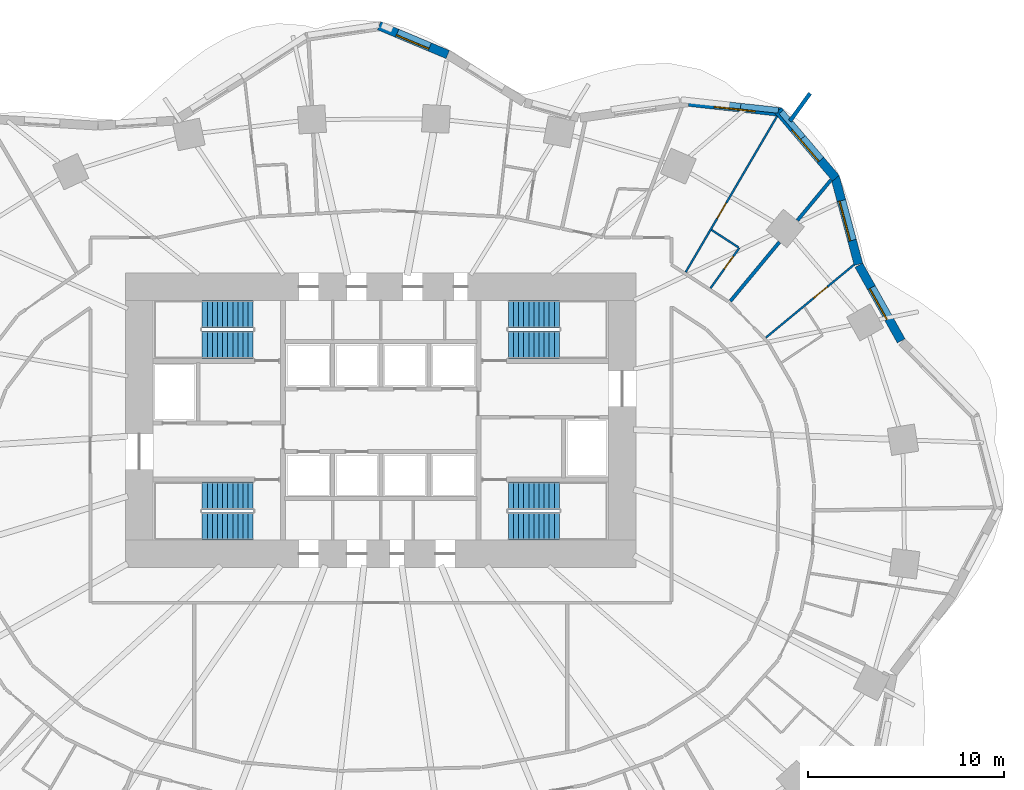
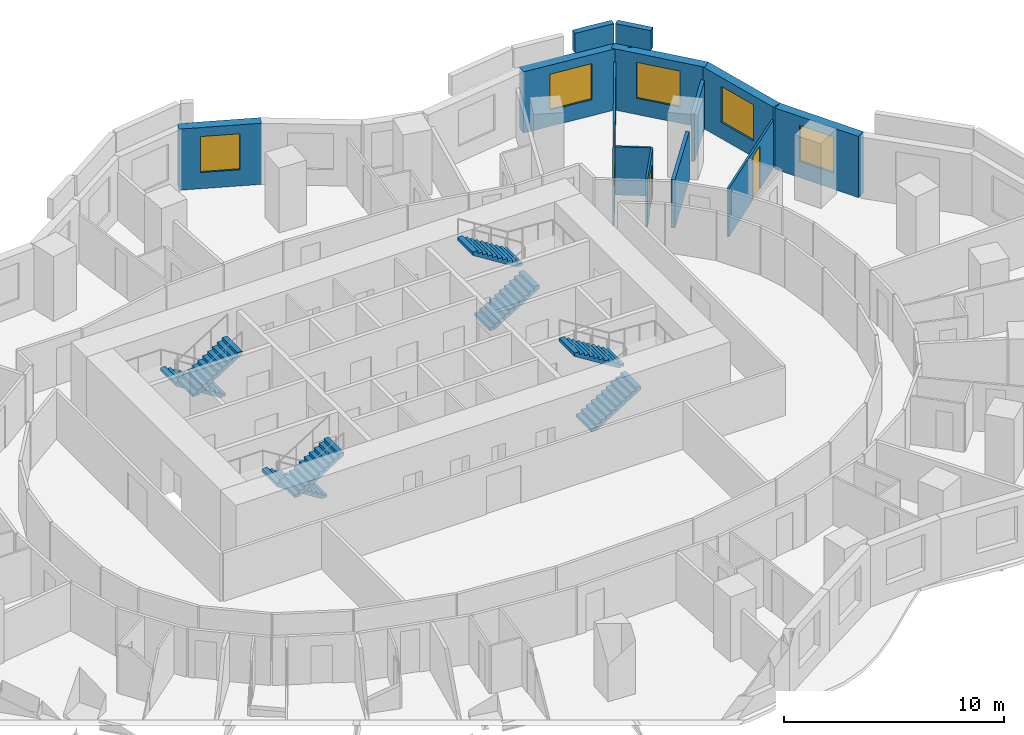
# One storey, part 10 of 11: 14 walls, 8 stair flights, 5 windows, 3 doors, 8 openings, 4 elements without a shape of their own.
"""IFC4 building model written with IfcOpenShell, lengths in metres."""

import ifcopenshell
import ifcopenshell.guid

model = None  # the IFC model being written
_history = None  # IfcOwnerHistory: only IFC2X3 demands one
_inside = {}  # id of a spatial element -> (the spatial element, [elements in it])
_under = {}  # id of a project, library or spatial element -> (it, [spatial elements below it])
_declared = {}  # id of a project -> (the project, [libraries it declares])
_typed = {}  # id of a type object -> (the type object, [elements of that type])
_made_of = {}  # id of a material, layer set ... -> (it, [elements and type objects made of it])


def new_model(schema):
    """Start an empty IFC model of exactly this schema.

    Asked for "IFC4X3", IfcOpenShell would pick the latest addendum, in which some entities
    have other attributes; the version numbers below select the first issue.
    IFC2X3 requires an IfcOwnerHistory on every rooted entity: one is made here for all.
    """
    global model, _history
    if schema == "IFC4X3":
        model = ifcopenshell.file(schema_version=(4, 3, 0, 0))
    else:
        model = ifcopenshell.file(schema=schema)
    _inside.clear()
    _under.clear()
    _declared.clear()
    _typed.clear()
    _made_of.clear()
    _history = None
    if model.schema == "IFC2X3":
        org = make("IfcOrganization", Name="unknown")
        user = make(
            "IfcPersonAndOrganization",
            ThePerson=make("IfcPerson", FamilyName="unknown"),
            TheOrganization=org,
        )
        app = make(
            "IfcApplication",
            ApplicationDeveloper=org,
            Version="unknown",
            ApplicationFullName="unknown",
            ApplicationIdentifier="unknown",
        )
        _history = make(
            "IfcOwnerHistory",
            OwningUser=user,
            OwningApplication=app,
            ChangeAction="ADDED",
            CreationDate=0,
        )
    return model


def make(cls, **values):
    """One entity of the class cls with the attributes given. An attribute that is None is left unset."""
    return model.create_entity(
        cls, **{name: value for name, value in values.items() if value is not None}
    )


def rooted(cls, **values):
    """An entity with a GlobalId (a new one), such as an element, a storey or a relation."""
    return make(cls, GlobalId=ifcopenshell.guid.new(), OwnerHistory=_history, **values)


def si_unit(unit_type, name, prefix=None):
    """IfcSIUnit, for example si_unit("LENGTHUNIT", "METRE", prefix="MILLI")."""
    return make("IfcSIUnit", UnitType=unit_type, Prefix=prefix, Name=name)


def assignment(units):
    """IfcUnitAssignment: the units of a project."""
    return None if units is None else make("IfcUnitAssignment", Units=units)


def point(xyz):
    """IfcCartesianPoint."""
    return None if xyz is None else make("IfcCartesianPoint", Coordinates=xyz)


def direction(xyz):
    """IfcDirection."""
    return None if xyz is None else make("IfcDirection", DirectionRatios=xyz)


def frame(location, z_axis=None, x_axis=None):
    """IfcAxis2Placement3D, a coordinate frame: its origin and axes. An axis left out is left unset."""
    return make(
        "IfcAxis2Placement3D",
        Location=point(location),
        Axis=direction(z_axis),
        RefDirection=direction(x_axis),
    )


def frame_2d(location, x_axis=None):
    """IfcAxis2Placement2D, a coordinate frame in the plane: its origin and x axis."""
    return make(
        "IfcAxis2Placement2D", Location=point(location), RefDirection=direction(x_axis)
    )


def origin():
    """The frame at (0, 0, 0) with its axes left unset."""
    return frame((0.0, 0.0, 0.0))


def place(relative_to, where):
    """IfcLocalPlacement: puts the frame where relative to a parent placement (None: the world)."""
    return make(
        "IfcLocalPlacement", PlacementRelTo=relative_to, RelativePlacement=where
    )


def context(
    kind, dimensions, precision=None, world=None, true_north=None, identifier=None
):
    """IfcGeometricRepresentationContext, for example the 3D "Model" context."""
    return make(
        "IfcGeometricRepresentationContext",
        ContextIdentifier=identifier,
        ContextType=kind,
        CoordinateSpaceDimension=dimensions,
        Precision=precision,
        WorldCoordinateSystem=world,
        TrueNorth=true_north,
    )


def subcontext(parent, identifier, kind, view, scale=None):
    """IfcGeometricRepresentationSubContext, for example "Body" below "Model"."""
    return make(
        "IfcGeometricRepresentationSubContext",
        ContextIdentifier=identifier,
        ContextType=kind,
        ParentContext=parent,
        TargetScale=scale,
        TargetView=view,
    )


def project(units=None, contexts=None):
    """IfcProject with its units and contexts."""
    return rooted(
        "IfcProject",
        Name="project",
        RepresentationContexts=contexts,
        UnitsInContext=assignment(units),
    )


def spatial(cls, under=None, at=None, **own):
    """A site, building, storey or space (cls), placed at a placement, below another one or the project."""
    s = rooted(cls, ObjectPlacement=at, **own)
    if under is not None:
        _under.setdefault(under.id(), (under, []))[1].append(s)
    return s


def polyline(points):
    """IfcPolyline through the points."""
    return make("IfcPolyline", Points=[point(p) for p in points])


def profile(cls, at=None, kind="AREA", **sizes):
    """A parametric profile (cls). Its sizes go by their IFC names, for example OverallWidth=200.0."""
    return make(cls, ProfileType=kind, Position=at, **sizes)


def rectangle(**sizes):
    """IfcRectangleProfileDef."""
    return profile("IfcRectangleProfileDef", **sizes)


def outline(outer, holes=None, kind="AREA"):
    """IfcArbitraryClosedProfileDef: a profile drawn as a closed curve; with holes, ...WithVoids."""
    if holes is None:
        return make("IfcArbitraryClosedProfileDef", ProfileType=kind, OuterCurve=outer)
    return make(
        "IfcArbitraryProfileDefWithVoids",
        ProfileType=kind,
        OuterCurve=outer,
        InnerCurves=holes,
    )


def extrude(swept, where, along, depth):
    """IfcExtrudedAreaSolid: the profile swept, set in the frame where, extruded along a direction by depth."""
    return make(
        "IfcExtrudedAreaSolid",
        SweptArea=swept,
        Position=where,
        ExtrudedDirection=direction(along),
        Depth=depth,
    )


def shape(context_of_items, identifier, shape_type, items):
    """IfcShapeRepresentation: the items that make up one representation, for example the "Body"."""
    return make(
        "IfcShapeRepresentation",
        ContextOfItems=context_of_items,
        RepresentationIdentifier=identifier,
        RepresentationType=shape_type,
        Items=items,
    )


def material(Name=None, Category=None):
    """IfcMaterial."""
    return make("IfcMaterial", Name=Name, Category=Category)


def layer(
    of_material, thickness, ventilated=None, Name=None, Category=None, Priority=None
):
    """IfcMaterialLayer: one layer of a wall or slab, of a material (None: an air gap)."""
    return make(
        "IfcMaterialLayer",
        Material=of_material,
        LayerThickness=thickness,
        IsVentilated=ventilated,
        Name=Name,
        Category=Category,
        Priority=Priority,
    )


def layer_set(layers, Name=None):
    """IfcMaterialLayerSet."""
    return make("IfcMaterialLayerSet", MaterialLayers=layers, LayerSetName=Name)


def made_of(thing, what):
    """Note that an element or type object is made of a material, layer set ...; save() writes the relation."""
    if what is not None:
        _made_of.setdefault(what.id(), (what, []))[1].append(thing)
    return thing


def type_object(cls, material=None, **own):
    """A type object (cls), such as IfcWallType, which elements share."""
    return made_of(rooted(cls, **own), material)


def element(
    cls,
    number,
    at=None,
    inside=None,
    cuts=None,
    type_object=None,
    material=None,
    context=None,
    identifier="Body",
    shape_type=None,
    held_by="IfcProductDefinitionShape",
    body=None,
    shapes=None,
    **own,
):
    """One element of the class cls, such as IfcWall. Its Tag is "e" and its number.

    at: its placement. inside: the storey or other place that contains it. cuts: it is an
    opening in that element (IfcRelVoidsElement). A single representation is given by context,
    identifier, shape_type and body (its items); several are given by shapes. held_by: the class
    of the entity that holds the representations. save() writes the other relations.
    """
    e = rooted(cls, Tag="e%d" % number, ObjectPlacement=at, **own)
    if body is not None:
        shapes = [shape(context, identifier, shape_type, body)]
    if shapes is not None:
        e.Representation = make(held_by, Representations=shapes)
    if inside is not None:
        _inside.setdefault(inside.id(), (inside, []))[1].append(e)
    if cuts is not None:
        rooted(
            "IfcRelVoidsElement", RelatingBuildingElement=cuts, RelatedOpeningElement=e
        )
    if type_object is not None:
        _typed.setdefault(type_object.id(), (type_object, []))[1].append(e)
    return made_of(e, material)


def fill(opening, filler):
    """IfcRelFillsElement: the door or window that sits in an opening."""
    return rooted(
        "IfcRelFillsElement",
        RelatingOpeningElement=opening,
        RelatedBuildingElement=filler,
    )


def aggregate(whole, parts):
    """IfcRelAggregates: a whole, such as a stair, and the parts it consists of."""
    return rooted("IfcRelAggregates", RelatingObject=whole, RelatedObjects=parts)


def save(model, path):
    """Write the relations noted so far, then the file.

    IfcRelAggregates (storeys below a building ...), IfcRelContainedInSpatialStructure (elements
    in a storey), IfcRelDefinesByType, IfcRelAssociatesMaterial and IfcRelDeclares: one each for
    every whole, place, type object, material and project.
    """
    for whole, parts in _under.values():
        aggregate(whole, parts)
    for where, things in _inside.values():
        rooted(
            "IfcRelContainedInSpatialStructure",
            RelatedElements=things,
            RelatingStructure=where,
        )
    for kind, things in _typed.values():
        rooted("IfcRelDefinesByType", RelatedObjects=things, RelatingType=kind)
    for what, things in _made_of.values():
        rooted("IfcRelAssociatesMaterial", RelatedObjects=things, RelatingMaterial=what)
    for by, libraries in _declared.values():
        rooted("IfcRelDeclares", RelatingContext=by, RelatedDefinitions=libraries)
    model.write(path)


model = new_model("IFC4")

# Units and contexts
model_context = context("Model", 3, precision=1e-05, world=origin(), true_north=direction((0.0, 1.0)))
body_context = subcontext(model_context, "Body", "Model", "MODEL_VIEW")
ifc_project = project(units=[si_unit("LENGTHUNIT", "METRE"), si_unit("AREAUNIT", "SQUARE_METRE"), si_unit("VOLUMEUNIT", "CUBIC_METRE"), si_unit("PLANEANGLEUNIT", "RADIAN"), si_unit("MASSUNIT", "GRAM", prefix="KILO")], contexts=[model_context])

# Site, building, storey
site_placement = place(None, origin())
site = spatial("IfcSite", under=ifc_project, at=site_placement, CompositionType="ELEMENT")
building_placement = place(site_placement, origin())
building = spatial("IfcBuilding", under=site, at=building_placement, Name="Rubra Terraces Tower", CompositionType="ELEMENT")
storey_placement = place(building_placement, frame((0.0, 0.0, 41.10009765625)))
storey = spatial("IfcBuildingStorey", under=building, at=storey_placement, Name="L07", CompositionType="ELEMENT", Elevation=41.10009765625)

# Walls
ifc_material_1 = material(Name="Twin plasterboard on staggered steel stud, acoustic mineral wool", Category="steel")
ifc_layer_1 = layer(ifc_material_1, 0.175048828125)
ifc_layer_set_1 = layer_set([ifc_layer_1], Name="Twin plasterboard on staggered steel stud, acoustic mineral wool")
wall_type_1 = type_object("IfcWallType", Name="ACOUSTIC PARTY WALL 175", PredefinedType="PARTITIONING", material=ifc_layer_set_1)
wall_1_placement = place(storey_placement, frame((22.94677734375, 16.752197265625, 0.0), z_axis=(0.0, 0.0, 1.0), x_axis=(-0.638756388383, -0.769409043552, 0.0)))
element("IfcWall", 1, at=wall_1_placement, inside=storey, type_object=wall_type_1, Name="PARTITION", PredefinedType="PARTITIONING", context=body_context, shape_type="SweptSolid", body=[
    extrude(rectangle(XDim=2.692626953125, YDim=0.175048828125, at=frame_2d((1.34619140625, 0.0))), origin(), (0.0, 0.0, 1.0), 2.679931640625),
])
wall_2_placement = place(storey_placement, frame((20.306884765625, 13.572509765625, 0.0), z_axis=(0.0, 0.0, 1.0), x_axis=(-0.638751887509, -0.769412780114, 0.0)))
element("IfcWall", 2, at=wall_2_placement, inside=storey, type_object=wall_type_1, Name="PARTITION", PredefinedType="PARTITIONING", context=body_context, shape_type="SweptSolid", body=[
    extrude(rectangle(XDim=3.908935546875, YDim=0.175048828125, at=frame_2d((1.95458984375, 0.0))), origin(), (0.0, 0.0, 1.0), 2.679931640625),
])

# Wall, opening, window
ifc_material_2 = material(Name="Brick masonry red-brown", Category="masonry")
ifc_layer_2 = layer(ifc_material_2, 0.449951171875)
ifc_layer_set_2 = layer_set([ifc_layer_2], Name="Brick masonry red-brown")
wall_type_2 = type_object("IfcWallType", Name="Brick facade wall 450", PredefinedType="SOLIDWALL", material=ifc_layer_set_2)
wall_3_placement = place(storey_placement, frame((26.513671875, 8.541015625, 0.0), z_axis=(0.0, 0.0, 1.0), x_axis=(-0.488504028898, 0.87256163894, 0.0)))
wall_3 = element("IfcWall", 3, at=wall_3_placement, inside=storey, type_object=wall_type_2, Name="Facade wall L07 bay 3", PredefinedType="SOLIDWALL", context=body_context, shape_type="SweptSolid", body=[
    extrude(rectangle(XDim=4.41552734375, YDim=0.449951171875, at=frame_2d((2.207763671875, 0.0))), origin(), (0.0, 0.0, 1.0), 3.39990234375),
])
opening_1_placement = place(wall_3_placement, frame((1.307861328125, 0.0, 0.89990234375)))
opening_1 = element("IfcOpeningElement", 4, at=opening_1_placement, cuts=wall_3, Name="Opening W6", PredefinedType="OPENING", context=body_context, shape_type="SweptSolid", body=[
    extrude(rectangle(XDim=1.800048828125, YDim=2.0, at=frame_2d((0.89990234375, 1.0))), frame((0.0, 0.23486328125, 0.0), z_axis=(0.0, -1.0, 0.0), x_axis=(1.0, 0.0, 0.0)), (0.0, 0.0, 1.0), 0.469970703125),
])
ifc_material_3 = material(Name="Clear glass in aluminium frame", Category="aluminium")
window_type_1 = type_object("IfcWindowType", Name="Fixed deep-set window at wind fin 1800 x 2000", PartitioningType="SINGLE_PANEL", PredefinedType="WINDOW", material=ifc_material_3)
window_1_placement = place(opening_1_placement, origin())
window_1 = element("IfcWindow", 5, at=window_1_placement, inside=storey, type_object=window_type_1, Name="Window L07 bay 3", OverallHeight=2.0, OverallWidth=1.800048828125, PartitioningType="SINGLE_PANEL", PredefinedType="WINDOW", context=body_context, shape_type="SweptSolid", body=[
    extrude(rectangle(XDim=1.800048828125, YDim=2.0, at=frame_2d((0.89990234375, 1.0))), frame((0.0, 0.135009765625, 0.0), z_axis=(0.0, -1.0, 0.0), x_axis=(1.0, 0.0, 0.0)), (0.0, 0.0, 1.0), 0.06005859375),
])
fill(opening_1, window_1)

wall_4_placement = place(storey_placement, frame((24.33740234375, 12.439453125, 0.0), z_axis=(0.0, 0.0, 1.0), x_axis=(-0.258441377569, 0.966026942875, 0.0)))
wall_4 = element("IfcWall", 6, at=wall_4_placement, inside=storey, type_object=wall_type_2, Name="Facade wall L07 bay 4", PredefinedType="SOLIDWALL", context=body_context, shape_type="SweptSolid", body=[
    extrude(rectangle(XDim=4.6240234375, YDim=0.449951171875, at=frame_2d((2.31201171875, 0.0))), origin(), (0.0, 0.0, 1.0), 3.39990234375),
])
opening_2_placement = place(wall_4_placement, frame((1.26220703125, 0.0, 0.89990234375)))
opening_2 = element("IfcOpeningElement", 7, at=opening_2_placement, cuts=wall_4, Name="Opening W1", PredefinedType="OPENING", context=body_context, shape_type="SweptSolid", body=[
    extrude(rectangle(XDim=2.10009765625, YDim=2.0, at=frame_2d((1.050048828125, 1.0))), frame((0.0, 0.23486328125, 0.0), z_axis=(0.0, -1.0, 0.0), x_axis=(1.0, 0.0, 0.0)), (0.0, 0.0, 1.0), 0.469970703125),
])
window_type_2 = type_object("IfcWindowType", Name="Fixed deep-set window 2100 x 2000", PartitioningType="SINGLE_PANEL", PredefinedType="WINDOW", material=ifc_material_3)
window_2_placement = place(opening_2_placement, origin())
window_2 = element("IfcWindow", 8, at=window_2_placement, inside=storey, type_object=window_type_2, Name="Window L07 bay 4", OverallHeight=2.0, OverallWidth=2.10009765625, PartitioningType="SINGLE_PANEL", PredefinedType="WINDOW", context=body_context, shape_type="SweptSolid", body=[
    extrude(rectangle(XDim=2.10009765625, YDim=2.0, at=frame_2d((1.050048828125, 1.0))), frame((0.0, 0.135009765625, 0.0), z_axis=(0.0, -1.0, 0.0), x_axis=(1.0, 0.0, 0.0)), (0.0, 0.0, 1.0), 0.06005859375),
])
fill(opening_2, window_2)

wall_5_placement = place(storey_placement, frame((23.186767578125, 16.8251953125, 0.0), z_axis=(0.0, 0.0, 1.0), x_axis=(-0.648462985992, 0.761246186065, 0.0)))
wall_5 = element("IfcWall", 9, at=wall_5_placement, inside=storey, type_object=wall_type_2, Name="Facade wall L07 bay 5", PredefinedType="SOLIDWALL", context=body_context, shape_type="SweptSolid", body=[
    extrude(rectangle(XDim=4.53076171875, YDim=0.449951171875, at=frame_2d((2.265380859375, 0.0))), origin(), (0.0, 0.0, 1.0), 3.39990234375),
])
opening_3_placement = place(wall_5_placement, frame((1.21533203125, 0.0, 0.89990234375)))
opening_3 = element("IfcOpeningElement", 10, at=opening_3_placement, cuts=wall_5, Name="Opening W1", PredefinedType="OPENING", context=body_context, shape_type="SweptSolid", body=[
    extrude(rectangle(XDim=2.10009765625, YDim=2.0, at=frame_2d((1.050048828125, 1.0))), frame((0.0, 0.23486328125, 0.0), z_axis=(0.0, -1.0, 0.0), x_axis=(1.0, 0.0, 0.0)), (0.0, 0.0, 1.0), 0.469970703125),
])
window_3_placement = place(opening_3_placement, origin())
window_3 = element("IfcWindow", 11, at=window_3_placement, inside=storey, type_object=window_type_2, Name="Window L07 bay 5", OverallHeight=2.0, OverallWidth=2.10009765625, PartitioningType="SINGLE_PANEL", PredefinedType="WINDOW", context=body_context, shape_type="SweptSolid", body=[
    extrude(rectangle(XDim=2.10009765625, YDim=2.0, at=frame_2d((1.050048828125, 1.0))), frame((0.0, 0.135009765625, 0.0), z_axis=(0.0, -1.0, 0.0), x_axis=(1.0, 0.0, 0.0)), (0.0, 0.0, 1.0), 0.06005859375),
])
fill(opening_3, window_3)

wall_6_placement = place(storey_placement, frame((20.3955078125, 20.1962890625, 0.0), z_axis=(0.0, 0.0, 1.0), x_axis=(-0.994063142291, 0.108804729393, 0.0)))
wall_6 = element("IfcWall", 12, at=wall_6_placement, inside=storey, type_object=wall_type_2, Name="Facade wall L07 bay 6", PredefinedType="SOLIDWALL", context=body_context, shape_type="SweptSolid", body=[
    extrude(rectangle(XDim=4.727783203125, YDim=0.449951171875, at=frame_2d((2.36376953125, 0.0))), origin(), (0.0, 0.0, 1.0), 3.39990234375),
])
opening_4_placement = place(wall_6_placement, frame((1.31396484375, 0.0, 0.89990234375)))
opening_4 = element("IfcOpeningElement", 13, at=opening_4_placement, cuts=wall_6, Name="Opening W1", PredefinedType="OPENING", context=body_context, shape_type="SweptSolid", body=[
    extrude(rectangle(XDim=2.10009765625, YDim=2.0, at=frame_2d((1.050048828125, 1.0))), frame((0.0, 0.23486328125, 0.0), z_axis=(0.0, -1.0, 0.0), x_axis=(1.0, 0.0, 0.0)), (0.0, 0.0, 1.0), 0.469970703125),
])
window_4_placement = place(opening_4_placement, origin())
window_4 = element("IfcWindow", 14, at=window_4_placement, inside=storey, type_object=window_type_2, Name="Window L07 bay 6", OverallHeight=2.0, OverallWidth=2.10009765625, PartitioningType="SINGLE_PANEL", PredefinedType="WINDOW", context=body_context, shape_type="SweptSolid", body=[
    extrude(rectangle(XDim=2.10009765625, YDim=2.0, at=frame_2d((1.050048828125, 1.0))), frame((0.0, 0.135009765625, 0.0), z_axis=(0.0, -1.0, 0.0), x_axis=(1.0, 0.0, 0.0)), (0.0, 0.0, 1.0), 0.06005859375),
])
fill(opening_4, window_4)

wall_7_placement = place(storey_placement, frame((3.409912109375, 23.130126953125, 0.0), z_axis=(0.0, 0.0, 1.0), x_axis=(-0.921914994676, 0.387392233521, 0.0)))
wall_7 = element("IfcWall", 15, at=wall_7_placement, inside=storey, type_object=wall_type_2, Name="Facade wall L07 bay 10", PredefinedType="SOLIDWALL", context=body_context, shape_type="SweptSolid", body=[
    extrude(rectangle(XDim=3.793212890625, YDim=0.449951171875, at=frame_2d((1.896484375, 0.0))), origin(), (0.0, 0.0, 1.0), 3.39990234375),
])
opening_5_placement = place(wall_7_placement, frame((0.99658203125, 0.0, 0.89990234375)))
opening_5 = element("IfcOpeningElement", 16, at=opening_5_placement, cuts=wall_7, Name="Opening W6", PredefinedType="OPENING", context=body_context, shape_type="SweptSolid", body=[
    extrude(rectangle(XDim=1.800048828125, YDim=2.0, at=frame_2d((0.89990234375, 1.0))), frame((0.0, 0.23486328125, 0.0), z_axis=(0.0, -1.0, 0.0), x_axis=(1.0, 0.0, 0.0)), (0.0, 0.0, 1.0), 0.469970703125),
])
window_5_placement = place(opening_5_placement, origin())
window_5 = element("IfcWindow", 17, at=window_5_placement, inside=storey, type_object=window_type_1, Name="Window L07 bay 10", OverallHeight=2.0, OverallWidth=1.800048828125, PartitioningType="SINGLE_PANEL", PredefinedType="WINDOW", context=body_context, shape_type="SweptSolid", body=[
    extrude(rectangle(XDim=1.800048828125, YDim=2.0, at=frame_2d((0.89990234375, 1.0))), frame((0.0, 0.135009765625, 0.0), z_axis=(0.0, -1.0, 0.0), x_axis=(1.0, 0.0, 0.0)), (0.0, 0.0, 1.0), 0.06005859375),
])
fill(opening_5, window_5)

# Walls
ifc_layer_3 = layer(ifc_material_2, 0.300048828125)
ifc_layer_set_3 = layer_set([ifc_layer_3], Name="Brick masonry red-brown")
wall_type_3 = type_object("IfcWallType", Name="Brick parapet 300", PredefinedType="PARAPET", material=ifc_layer_set_3)
wall_8_placement = place(storey_placement, frame((21.5126953125, 18.906005859375, 3.599853515625), z_axis=(0.0, 0.0, 1.0), x_axis=(-0.648451151452, 0.761256267088, 0.0)))
element("IfcWall", 18, at=wall_8_placement, inside=storey, type_object=wall_type_3, Name="Parapet L07 bay 5", PredefinedType="PARAPET", context=body_context, shape_type="SweptSolid", body=[
    extrude(rectangle(XDim=1.7119140625, YDim=0.300048828125, at=frame_2d((0.85595703125, 0.0))), origin(), (0.0, 0.0, 1.0), 1.10009765625),
])
wall_9_placement = place(storey_placement, frame((20.25537109375, 20.287109375, 3.599853515625), z_axis=(0.0, 0.0, 1.0), x_axis=(-0.994062724773, 0.108808543863, 0.0)))
element("IfcWall", 19, at=wall_9_placement, inside=storey, type_object=wall_type_3, Name="Parapet L07 bay 6", PredefinedType="PARAPET", context=body_context, shape_type="SweptSolid", body=[
    extrude(rectangle(XDim=1.931884765625, YDim=0.300048828125, at=frame_2d((0.9658203125, 0.0))), origin(), (0.0, 0.0, 1.0), 1.10009765625),
])
ifc_layer_4 = layer(ifc_material_2, 0.199951171875)
ifc_layer_set_4 = layer_set([ifc_layer_4], Name="Brick masonry red-brown")
wall_type_4 = type_object("IfcWallType", Name="Brick wind fin 200", PredefinedType="SOLIDWALL", material=ifc_layer_set_4)
wall_10_placement = place(storey_placement, frame((20.845947265625, 19.739013671875, 0.0), z_axis=(0.0, 0.0, 1.0), x_axis=(0.587607490034, 0.809146116382, 0.0)))
element("IfcWall", 20, at=wall_10_placement, inside=storey, type_object=wall_type_4, Name="Wind fin L07 3", PredefinedType="SOLIDWALL", context=body_context, shape_type="SweptSolid", body=[
    extrude(rectangle(XDim=1.75, YDim=0.199951171875, at=frame_2d((0.875, 0.0))), origin(), (0.0, 0.0, 1.0), 3.39990234375),
])

# Wall, opening, door
ifc_material_4 = material(Name="Plasterboard on steel stud", Category="steel")
ifc_layer_5 = layer(ifc_material_4, 0.10009765625)
ifc_layer_set_5 = layer_set([ifc_layer_5], Name="Plasterboard on steel stud")
wall_type_5 = type_object("IfcWallType", Name="ROOM PARTITION 100", PredefinedType="PARTITIONING", material=ifc_layer_set_5)
wall_11_placement = place(storey_placement, frame((24.109619140625, 12.42041015625, 0.0), z_axis=(0.0, 0.0, 1.0), x_axis=(-0.770718759666, -0.637175480931, 0.0)))
wall_11 = element("IfcWall", 21, at=wall_11_placement, inside=storey, type_object=wall_type_5, Name="PARTITION", PredefinedType="PARTITIONING", context=body_context, shape_type="SweptSolid", body=[
    extrude(rectangle(XDim=5.83544921875, YDim=0.10009765625, at=frame_2d((2.917724609375, 0.0))), origin(), (0.0, 0.0, 1.0), 2.679931640625),
])
opening_6_placement = place(wall_11_placement, frame((1.760986328125, 0.0, 0.0)))
opening_6 = element("IfcOpeningElement", 22, at=opening_6_placement, cuts=wall_11, Name="Opening 07-102", PredefinedType="OPENING", context=body_context, shape_type="SweptSolid", body=[
    extrude(rectangle(XDim=0.89990234375, YDim=2.39990234375, at=frame_2d((0.449951171875, 1.199951171875))), frame((0.0, 0.06005859375, 0.0), z_axis=(0.0, -1.0, 0.0), x_axis=(1.0, 0.0, 0.0)), (0.0, 0.0, 1.0), 0.1201171875),
])
ifc_material_5 = material(Name="Veneered timber door leaf, fire-rated", Category="wood")
door_type_1 = type_object("IfcDoorType", Name="SUITE ENTRANCE DOOR 900 X 2400", OperationType="SINGLE_SWING_LEFT", PredefinedType="DOOR", material=ifc_material_5)
door_1_placement = place(opening_6_placement, origin())
door_1 = element("IfcDoor", 23, at=door_1_placement, inside=storey, type_object=door_type_1, Name="DOOR 07-102", OperationType="SINGLE_SWING_LEFT", OverallHeight=2.39990234375, OverallWidth=0.89990234375, PredefinedType="DOOR", context=body_context, shape_type="SweptSolid", body=[
    extrude(rectangle(XDim=0.89990234375, YDim=2.39990234375, at=frame_2d((0.449951171875, 1.199951171875))), frame((0.0, 0.02490234375, 0.0), z_axis=(0.0, -1.0, 0.0), x_axis=(1.0, 0.0, 0.0)), (0.0, 0.0, 1.0), 0.050048828125),
])
fill(opening_6, door_1)

wall_12_placement = place(storey_placement, frame((20.191162109375, 19.98828125, 0.0), z_axis=(0.0, 0.0, 1.0), x_axis=(-0.505620182585, -0.862756182802, 0.0)))
wall_12 = element("IfcWall", 24, at=wall_12_placement, inside=storey, type_object=wall_type_5, Name="PARTITION", PredefinedType="PARTITIONING", context=body_context, shape_type="SweptSolid", body=[
    extrude(rectangle(XDim=9.2109375, YDim=0.10009765625, at=frame_2d((4.60546875, 0.0))), origin(), (0.0, 0.0, 1.0), 2.679931640625),
])
opening_7_placement = place(wall_12_placement, frame((5.135986328125, 0.0, 0.0)))
opening_7 = element("IfcOpeningElement", 25, at=opening_7_placement, cuts=wall_12, Name="Opening 07-105", PredefinedType="OPENING", context=body_context, shape_type="SweptSolid", body=[
    extrude(rectangle(XDim=0.89990234375, YDim=2.39990234375, at=frame_2d((0.449951171875, 1.199951171875))), frame((0.0, 0.06005859375, 0.0), z_axis=(0.0, -1.0, 0.0), x_axis=(1.0, 0.0, 0.0)), (0.0, 0.0, 1.0), 0.1201171875),
])
door_2_placement = place(opening_7_placement, origin())
door_2 = element("IfcDoor", 26, at=door_2_placement, inside=storey, type_object=door_type_1, Name="DOOR 07-105", OperationType="SINGLE_SWING_LEFT", OverallHeight=2.39990234375, OverallWidth=0.89990234375, PredefinedType="DOOR", context=body_context, shape_type="SweptSolid", body=[
    extrude(rectangle(XDim=0.89990234375, YDim=2.39990234375, at=frame_2d((0.449951171875, 1.199951171875))), frame((0.0, 0.02490234375, 0.0), z_axis=(0.0, -1.0, 0.0), x_axis=(1.0, 0.0, 0.0)), (0.0, 0.0, 1.0), 0.050048828125),
])
fill(opening_7, door_2)

wall_13_placement = place(storey_placement, frame((16.798828125, 11.222900390625, 0.0), z_axis=(0.0, 0.0, 1.0), x_axis=(0.581494263037, 0.81355050369, 0.0)))
wall_13 = element("IfcWall", 27, at=wall_13_placement, inside=storey, type_object=wall_type_5, Name="PARTITION", PredefinedType="PARTITIONING", context=body_context, shape_type="SweptSolid", body=[
    extrude(rectangle(XDim=2.52490234375, YDim=0.10009765625, at=frame_2d((1.262451171875, 0.0))), origin(), (0.0, 0.0, 1.0), 2.679931640625),
])
opening_8_placement = place(wall_13_placement, frame((1.199951171875, 0.0, 0.0)))
opening_8 = element("IfcOpeningElement", 28, at=opening_8_placement, cuts=wall_13, Name="Opening 07-104", PredefinedType="OPENING", context=body_context, shape_type="SweptSolid", body=[
    extrude(rectangle(XDim=0.800048828125, YDim=2.10009765625, at=frame_2d((0.39990234375, 1.050048828125))), frame((0.0, 0.06005859375, 0.0), z_axis=(0.0, -1.0, 0.0), x_axis=(1.0, 0.0, 0.0)), (0.0, 0.0, 1.0), 0.1201171875),
])
ifc_material_6 = material(Name="Painted timber door leaf", Category="wood")
door_type_2 = type_object("IfcDoorType", Name="BATHROOM DOOR 800 X 2100", OperationType="SINGLE_SWING_LEFT", PredefinedType="DOOR", material=ifc_material_6)
door_3_placement = place(opening_8_placement, origin())
door_3 = element("IfcDoor", 29, at=door_3_placement, inside=storey, type_object=door_type_2, Name="DOOR 07-104", OperationType="SINGLE_SWING_LEFT", OverallHeight=2.10009765625, OverallWidth=0.800048828125, PredefinedType="DOOR", context=body_context, shape_type="SweptSolid", body=[
    extrude(rectangle(XDim=0.800048828125, YDim=2.10009765625, at=frame_2d((0.39990234375, 1.050048828125))), frame((0.0, 0.02490234375, 0.0), z_axis=(0.0, -1.0, 0.0), x_axis=(1.0, 0.0, 0.0)), (0.0, 0.0, 1.0), 0.050048828125),
])
fill(opening_8, door_3)

# Wall
wall_14_placement = place(storey_placement, frame((18.22509765625, 13.30419921875, 0.0), z_axis=(0.0, 0.0, 1.0), x_axis=(-0.839486017112, 0.543381290692, 0.0)))
element("IfcWall", 30, at=wall_14_placement, inside=storey, type_object=wall_type_5, Name="PARTITION", PredefinedType="PARTITIONING", context=body_context, shape_type="SweptSolid", body=[
    extrude(rectangle(XDim=1.635009765625, YDim=0.10009765625, at=frame_2d((0.8173828125, 0.0))), origin(), (0.0, 0.0, 1.0), 2.679931640625),
])

# Stair, stair flights
ifc_material_7 = material(Name="Concrete C40", Category="concrete")
stair_type = type_object("IfcStairType", Name="Core stair 1400", PredefinedType="HALF_TURN_STAIR", material=ifc_material_7)
stair_1_placement = place(storey_placement, origin())
stair_1 = element("IfcStair", 31, at=stair_1_placement, inside=storey, type_object=stair_type, Name="L07 Exit stair S1", PredefinedType="HALF_TURN_STAIR")
stair_flight_type = type_object("IfcStairFlightType", Name="Core stair flight 1400", PredefinedType="STRAIGHT", material=ifc_material_7)
stair_flight_1_placement = place(storey_placement, frame((-6.5, 0.64990234375, 0.0), z_axis=(0.0, 0.0, 1.0), x_axis=(-1.0, 0.0, 0.0)))
stair_flight_1 = element("IfcStairFlight", 32, at=stair_flight_1_placement, type_object=stair_flight_type, Name="S1 flight 1", NumberOfRisers=11, NumberOfTreads=10, PredefinedType="STRAIGHT", RiserHeight=0.163636364, TreadLength=0.26, context=body_context, shape_type="SweptSolid", body=[
    extrude(outline(polyline([(0.0, 0.0), (0.0, 0.16357421875), (0.260009765625, 0.16357421875), (0.260009765625, 0.327392578125), (0.52001953125, 0.327392578125), (0.52001953125, 0.490966796875), (0.780029296875, 0.490966796875), (0.780029296875, 0.654541015625), (1.0400390625, 0.654541015625), (1.0400390625, 0.818115234375), (1.300048828125, 0.818115234375), (1.300048828125, 0.98193359375), (1.56005859375, 0.98193359375), (1.56005859375, 1.1455078125), (1.820068359375, 1.1455078125), (1.820068359375, 1.30908203125), (2.080078125, 1.30908203125), (2.080078125, 1.47265625), (2.340087890625, 1.47265625), (2.340087890625, 1.636474609375), (2.60009765625, 1.636474609375), (2.60009765625, 1.800048828125), (2.60009765625, 1.459228515625), (0.281494140625, 0.0), (0.0, 0.0)])), frame((0.0, 0.699951171875, 0.0), z_axis=(0.0, -1.0, 0.0), x_axis=(1.0, 0.0, 0.0)), (0.0, 0.0, 1.0), 1.39990234375),
])
stair_flight_2_placement = place(storey_placement, frame((-9.10009765625, -0.89990234375, 1.7998046875), z_axis=(0.0, 0.0, 1.0), x_axis=(1.0, 0.0, 0.0)))
stair_flight_2 = element("IfcStairFlight", 33, at=stair_flight_2_placement, type_object=stair_flight_type, Name="S1 flight 2", NumberOfRisers=11, NumberOfTreads=10, PredefinedType="STRAIGHT", RiserHeight=0.163636364, TreadLength=0.26, context=body_context, shape_type="SweptSolid", body=[
    extrude(outline(polyline([(0.0, 0.0), (0.0, 0.16357421875), (0.260009765625, 0.16357421875), (0.260009765625, 0.327392578125), (0.52001953125, 0.327392578125), (0.52001953125, 0.490966796875), (0.780029296875, 0.490966796875), (0.780029296875, 0.654541015625), (1.0400390625, 0.654541015625), (1.0400390625, 0.818115234375), (1.300048828125, 0.818115234375), (1.300048828125, 0.98193359375), (1.56005859375, 0.98193359375), (1.56005859375, 1.1455078125), (1.820068359375, 1.1455078125), (1.820068359375, 1.30908203125), (2.080078125, 1.30908203125), (2.080078125, 1.47265625), (2.340087890625, 1.47265625), (2.340087890625, 1.636474609375), (2.60009765625, 1.636474609375), (2.60009765625, 1.800048828125), (2.60009765625, 1.459228515625), (0.281494140625, 0.0), (0.0, 0.0)])), frame((0.0, 0.699951171875, 0.0), z_axis=(0.0, -1.0, 0.0), x_axis=(1.0, 0.0, 0.0)), (0.0, 0.0, 1.0), 1.39990234375),
])
aggregate(stair_1, [stair_flight_1, stair_flight_2])

stair_2_placement = place(storey_placement, origin())
stair_2 = element("IfcStair", 34, at=stair_2_placement, inside=storey, type_object=stair_type, Name="L07 Exit stair S2", PredefinedType="HALF_TURN_STAIR")
stair_flight_3_placement = place(storey_placement, frame((-6.5, 9.89990234375, 0.0), z_axis=(0.0, 0.0, 1.0), x_axis=(-1.0, 0.0, 0.0)))
stair_flight_3 = element("IfcStairFlight", 35, at=stair_flight_3_placement, type_object=stair_flight_type, Name="S2 flight 1", NumberOfRisers=11, NumberOfTreads=10, PredefinedType="STRAIGHT", RiserHeight=0.163636364, TreadLength=0.26, context=body_context, shape_type="SweptSolid", body=[
    extrude(outline(polyline([(0.0, 0.0), (0.0, 0.16357421875), (0.260009765625, 0.16357421875), (0.260009765625, 0.327392578125), (0.52001953125, 0.327392578125), (0.52001953125, 0.490966796875), (0.780029296875, 0.490966796875), (0.780029296875, 0.654541015625), (1.0400390625, 0.654541015625), (1.0400390625, 0.818115234375), (1.300048828125, 0.818115234375), (1.300048828125, 0.98193359375), (1.56005859375, 0.98193359375), (1.56005859375, 1.1455078125), (1.820068359375, 1.1455078125), (1.820068359375, 1.30908203125), (2.080078125, 1.30908203125), (2.080078125, 1.47265625), (2.340087890625, 1.47265625), (2.340087890625, 1.636474609375), (2.60009765625, 1.636474609375), (2.60009765625, 1.800048828125), (2.60009765625, 1.459228515625), (0.281494140625, 0.0), (0.0, 0.0)])), frame((0.0, 0.699951171875, 0.0), z_axis=(0.0, -1.0, 0.0), x_axis=(1.0, 0.0, 0.0)), (0.0, 0.0, 1.0), 1.39990234375),
])
stair_flight_4_placement = place(storey_placement, frame((-9.10009765625, 8.35009765625, 1.7998046875), z_axis=(0.0, 0.0, 1.0), x_axis=(1.0, 0.0, 0.0)))
stair_flight_4 = element("IfcStairFlight", 36, at=stair_flight_4_placement, type_object=stair_flight_type, Name="S2 flight 2", NumberOfRisers=11, NumberOfTreads=10, PredefinedType="STRAIGHT", RiserHeight=0.163636364, TreadLength=0.26, context=body_context, shape_type="SweptSolid", body=[
    extrude(outline(polyline([(0.0, 0.0), (0.0, 0.16357421875), (0.260009765625, 0.16357421875), (0.260009765625, 0.327392578125), (0.52001953125, 0.327392578125), (0.52001953125, 0.490966796875), (0.780029296875, 0.490966796875), (0.780029296875, 0.654541015625), (1.0400390625, 0.654541015625), (1.0400390625, 0.818115234375), (1.300048828125, 0.818115234375), (1.300048828125, 0.98193359375), (1.56005859375, 0.98193359375), (1.56005859375, 1.1455078125), (1.820068359375, 1.1455078125), (1.820068359375, 1.30908203125), (2.080078125, 1.30908203125), (2.080078125, 1.47265625), (2.340087890625, 1.47265625), (2.340087890625, 1.636474609375), (2.60009765625, 1.636474609375), (2.60009765625, 1.800048828125), (2.60009765625, 1.459228515625), (0.281494140625, 0.0), (0.0, 0.0)])), frame((0.0, 0.699951171875, 0.0), z_axis=(0.0, -1.0, 0.0), x_axis=(1.0, 0.0, 0.0)), (0.0, 0.0, 1.0), 1.39990234375),
])
aggregate(stair_2, [stair_flight_3, stair_flight_4])

stair_3_placement = place(storey_placement, origin())
stair_3 = element("IfcStair", 37, at=stair_3_placement, inside=storey, type_object=stair_type, Name="L07 Exit stair S3", PredefinedType="HALF_TURN_STAIR")
stair_flight_5_placement = place(storey_placement, frame((6.5, 8.35009765625, 0.0), z_axis=(0.0, 0.0, 1.0), x_axis=(1.0, 0.0, 0.0)))
stair_flight_5 = element("IfcStairFlight", 38, at=stair_flight_5_placement, type_object=stair_flight_type, Name="S3 flight 1", NumberOfRisers=11, NumberOfTreads=10, PredefinedType="STRAIGHT", RiserHeight=0.163636364, TreadLength=0.26, context=body_context, shape_type="SweptSolid", body=[
    extrude(outline(polyline([(0.0, 0.0), (0.0, 0.16357421875), (0.260009765625, 0.16357421875), (0.260009765625, 0.327392578125), (0.52001953125, 0.327392578125), (0.52001953125, 0.490966796875), (0.780029296875, 0.490966796875), (0.780029296875, 0.654541015625), (1.0400390625, 0.654541015625), (1.0400390625, 0.818115234375), (1.300048828125, 0.818115234375), (1.300048828125, 0.98193359375), (1.56005859375, 0.98193359375), (1.56005859375, 1.1455078125), (1.820068359375, 1.1455078125), (1.820068359375, 1.30908203125), (2.080078125, 1.30908203125), (2.080078125, 1.47265625), (2.340087890625, 1.47265625), (2.340087890625, 1.636474609375), (2.60009765625, 1.636474609375), (2.60009765625, 1.800048828125), (2.60009765625, 1.459228515625), (0.281494140625, 0.0), (0.0, 0.0)])), frame((0.0, 0.699951171875, 0.0), z_axis=(0.0, -1.0, 0.0), x_axis=(1.0, 0.0, 0.0)), (0.0, 0.0, 1.0), 1.39990234375),
])
stair_flight_6_placement = place(storey_placement, frame((9.10009765625, 9.89990234375, 1.7998046875), z_axis=(0.0, 0.0, 1.0), x_axis=(-1.0, 0.0, 0.0)))
stair_flight_6 = element("IfcStairFlight", 39, at=stair_flight_6_placement, type_object=stair_flight_type, Name="S3 flight 2", NumberOfRisers=11, NumberOfTreads=10, PredefinedType="STRAIGHT", RiserHeight=0.163636364, TreadLength=0.26, context=body_context, shape_type="SweptSolid", body=[
    extrude(outline(polyline([(0.0, 0.0), (0.0, 0.16357421875), (0.260009765625, 0.16357421875), (0.260009765625, 0.327392578125), (0.52001953125, 0.327392578125), (0.52001953125, 0.490966796875), (0.780029296875, 0.490966796875), (0.780029296875, 0.654541015625), (1.0400390625, 0.654541015625), (1.0400390625, 0.818115234375), (1.300048828125, 0.818115234375), (1.300048828125, 0.98193359375), (1.56005859375, 0.98193359375), (1.56005859375, 1.1455078125), (1.820068359375, 1.1455078125), (1.820068359375, 1.30908203125), (2.080078125, 1.30908203125), (2.080078125, 1.47265625), (2.340087890625, 1.47265625), (2.340087890625, 1.636474609375), (2.60009765625, 1.636474609375), (2.60009765625, 1.800048828125), (2.60009765625, 1.459228515625), (0.281494140625, 0.0), (0.0, 0.0)])), frame((0.0, 0.699951171875, 0.0), z_axis=(0.0, -1.0, 0.0), x_axis=(1.0, 0.0, 0.0)), (0.0, 0.0, 1.0), 1.39990234375),
])
aggregate(stair_3, [stair_flight_5, stair_flight_6])

stair_4_placement = place(storey_placement, origin())
stair_4 = element("IfcStair", 40, at=stair_4_placement, inside=storey, type_object=stair_type, Name="L07 Exit stair S4", PredefinedType="HALF_TURN_STAIR")
stair_flight_7_placement = place(storey_placement, frame((6.5, -0.89990234375, 0.0), z_axis=(0.0, 0.0, 1.0), x_axis=(1.0, 0.0, 0.0)))
stair_flight_7 = element("IfcStairFlight", 41, at=stair_flight_7_placement, type_object=stair_flight_type, Name="S4 flight 1", NumberOfRisers=11, NumberOfTreads=10, PredefinedType="STRAIGHT", RiserHeight=0.163636364, TreadLength=0.26, context=body_context, shape_type="SweptSolid", body=[
    extrude(outline(polyline([(0.0, 0.0), (0.0, 0.16357421875), (0.260009765625, 0.16357421875), (0.260009765625, 0.327392578125), (0.52001953125, 0.327392578125), (0.52001953125, 0.490966796875), (0.780029296875, 0.490966796875), (0.780029296875, 0.654541015625), (1.0400390625, 0.654541015625), (1.0400390625, 0.818115234375), (1.300048828125, 0.818115234375), (1.300048828125, 0.98193359375), (1.56005859375, 0.98193359375), (1.56005859375, 1.1455078125), (1.820068359375, 1.1455078125), (1.820068359375, 1.30908203125), (2.080078125, 1.30908203125), (2.080078125, 1.47265625), (2.340087890625, 1.47265625), (2.340087890625, 1.636474609375), (2.60009765625, 1.636474609375), (2.60009765625, 1.800048828125), (2.60009765625, 1.459228515625), (0.281494140625, 0.0), (0.0, 0.0)])), frame((0.0, 0.699951171875, 0.0), z_axis=(0.0, -1.0, 0.0), x_axis=(1.0, 0.0, 0.0)), (0.0, 0.0, 1.0), 1.39990234375),
])
stair_flight_8_placement = place(storey_placement, frame((9.10009765625, 0.64990234375, 1.7998046875), z_axis=(0.0, 0.0, 1.0), x_axis=(-1.0, 0.0, 0.0)))
stair_flight_8 = element("IfcStairFlight", 42, at=stair_flight_8_placement, type_object=stair_flight_type, Name="S4 flight 2", NumberOfRisers=11, NumberOfTreads=10, PredefinedType="STRAIGHT", RiserHeight=0.163636364, TreadLength=0.26, context=body_context, shape_type="SweptSolid", body=[
    extrude(outline(polyline([(0.0, 0.0), (0.0, 0.16357421875), (0.260009765625, 0.16357421875), (0.260009765625, 0.327392578125), (0.52001953125, 0.327392578125), (0.52001953125, 0.490966796875), (0.780029296875, 0.490966796875), (0.780029296875, 0.654541015625), (1.0400390625, 0.654541015625), (1.0400390625, 0.818115234375), (1.300048828125, 0.818115234375), (1.300048828125, 0.98193359375), (1.56005859375, 0.98193359375), (1.56005859375, 1.1455078125), (1.820068359375, 1.1455078125), (1.820068359375, 1.30908203125), (2.080078125, 1.30908203125), (2.080078125, 1.47265625), (2.340087890625, 1.47265625), (2.340087890625, 1.636474609375), (2.60009765625, 1.636474609375), (2.60009765625, 1.800048828125), (2.60009765625, 1.459228515625), (0.281494140625, 0.0), (0.0, 0.0)])), frame((0.0, 0.699951171875, 0.0), z_axis=(0.0, -1.0, 0.0), x_axis=(1.0, 0.0, 0.0)), (0.0, 0.0, 1.0), 1.39990234375),
])
aggregate(stair_4, [stair_flight_7, stair_flight_8])

save(model, "model.ifc")
